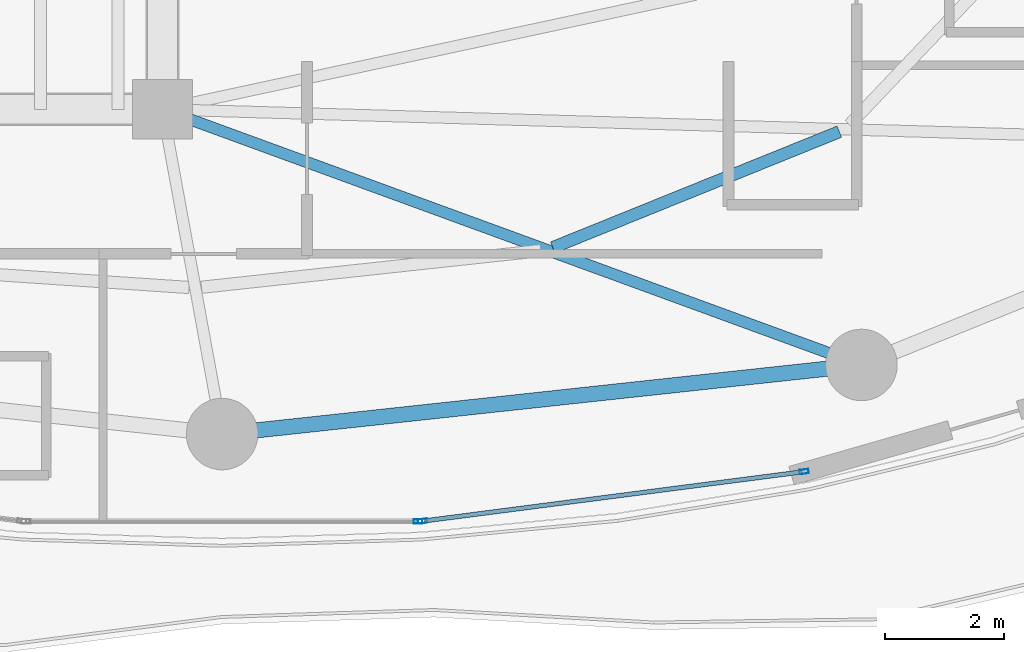
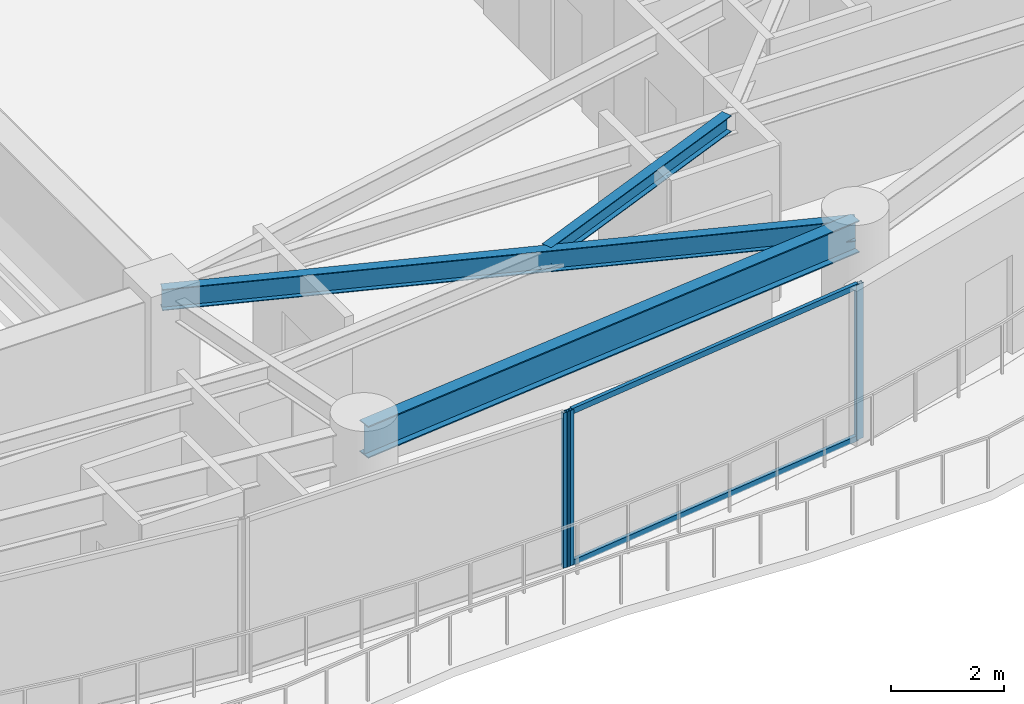
# One storey, part 9 of 28: 5 members, 3 beams, 2 elements without a shape of their own.
"""IFC4 building model written with IfcOpenShell, lengths in metres."""

import ifcopenshell
import ifcopenshell.guid

model = None  # the IFC model being written
_history = None  # IfcOwnerHistory: only IFC2X3 demands one
_inside = {}  # id of a spatial element -> (the spatial element, [elements in it])
_under = {}  # id of a project, library or spatial element -> (it, [spatial elements below it])
_declared = {}  # id of a project -> (the project, [libraries it declares])
_typed = {}  # id of a type object -> (the type object, [elements of that type])
_made_of = {}  # id of a material, layer set ... -> (it, [elements and type objects made of it])


def new_model(schema):
    """Start an empty IFC model of exactly this schema.

    Asked for "IFC4X3", IfcOpenShell would pick the latest addendum, in which some entities
    have other attributes; the version numbers below select the first issue.
    IFC2X3 requires an IfcOwnerHistory on every rooted entity: one is made here for all.
    """
    global model, _history
    if schema == "IFC4X3":
        model = ifcopenshell.file(schema_version=(4, 3, 0, 0))
    else:
        model = ifcopenshell.file(schema=schema)
    _inside.clear()
    _under.clear()
    _declared.clear()
    _typed.clear()
    _made_of.clear()
    _history = None
    if model.schema == "IFC2X3":
        org = make("IfcOrganization", Name="unknown")
        user = make(
            "IfcPersonAndOrganization",
            ThePerson=make("IfcPerson", FamilyName="unknown"),
            TheOrganization=org,
        )
        app = make(
            "IfcApplication",
            ApplicationDeveloper=org,
            Version="unknown",
            ApplicationFullName="unknown",
            ApplicationIdentifier="unknown",
        )
        _history = make(
            "IfcOwnerHistory",
            OwningUser=user,
            OwningApplication=app,
            ChangeAction="ADDED",
            CreationDate=0,
        )
    return model


def make(cls, **values):
    """One entity of the class cls with the attributes given. An attribute that is None is left unset."""
    return model.create_entity(
        cls, **{name: value for name, value in values.items() if value is not None}
    )


def rooted(cls, **values):
    """An entity with a GlobalId (a new one), such as an element, a storey or a relation."""
    return make(cls, GlobalId=ifcopenshell.guid.new(), OwnerHistory=_history, **values)


def si_unit(unit_type, name, prefix=None):
    """IfcSIUnit, for example si_unit("LENGTHUNIT", "METRE", prefix="MILLI")."""
    return make("IfcSIUnit", UnitType=unit_type, Prefix=prefix, Name=name)


def assignment(units):
    """IfcUnitAssignment: the units of a project."""
    return None if units is None else make("IfcUnitAssignment", Units=units)


def point(xyz):
    """IfcCartesianPoint."""
    return None if xyz is None else make("IfcCartesianPoint", Coordinates=xyz)


def direction(xyz):
    """IfcDirection."""
    return None if xyz is None else make("IfcDirection", DirectionRatios=xyz)


def frame(location, z_axis=None, x_axis=None):
    """IfcAxis2Placement3D, a coordinate frame: its origin and axes. An axis left out is left unset."""
    return make(
        "IfcAxis2Placement3D",
        Location=point(location),
        Axis=direction(z_axis),
        RefDirection=direction(x_axis),
    )


def frame_2d(location, x_axis=None):
    """IfcAxis2Placement2D, a coordinate frame in the plane: its origin and x axis."""
    return make(
        "IfcAxis2Placement2D", Location=point(location), RefDirection=direction(x_axis)
    )


def origin():
    """The frame at (0, 0, 0) with its axes left unset."""
    return frame((0.0, 0.0, 0.0))


def origin_2d():
    """The frame at (0, 0) in the plane with its x axis left unset."""
    return frame_2d((0.0, 0.0))


def place(relative_to, where):
    """IfcLocalPlacement: puts the frame where relative to a parent placement (None: the world)."""
    return make(
        "IfcLocalPlacement", PlacementRelTo=relative_to, RelativePlacement=where
    )


def context(
    kind, dimensions, precision=None, world=None, true_north=None, identifier=None
):
    """IfcGeometricRepresentationContext, for example the 3D "Model" context."""
    return make(
        "IfcGeometricRepresentationContext",
        ContextIdentifier=identifier,
        ContextType=kind,
        CoordinateSpaceDimension=dimensions,
        Precision=precision,
        WorldCoordinateSystem=world,
        TrueNorth=true_north,
    )


def subcontext(parent, identifier, kind, view, scale=None):
    """IfcGeometricRepresentationSubContext, for example "Body" below "Model"."""
    return make(
        "IfcGeometricRepresentationSubContext",
        ContextIdentifier=identifier,
        ContextType=kind,
        ParentContext=parent,
        TargetScale=scale,
        TargetView=view,
    )


def project(units=None, contexts=None):
    """IfcProject with its units and contexts."""
    return rooted(
        "IfcProject",
        Name="project",
        RepresentationContexts=contexts,
        UnitsInContext=assignment(units),
    )


def spatial(cls, under=None, at=None, **own):
    """A site, building, storey or space (cls), placed at a placement, below another one or the project."""
    s = rooted(cls, ObjectPlacement=at, **own)
    if under is not None:
        _under.setdefault(under.id(), (under, []))[1].append(s)
    return s


def profile(cls, at=None, kind="AREA", **sizes):
    """A parametric profile (cls). Its sizes go by their IFC names, for example OverallWidth=200.0."""
    return make(cls, ProfileType=kind, Position=at, **sizes)


def hollow_rectangle(**sizes):
    """IfcRectangleHollowProfileDef."""
    return profile("IfcRectangleHollowProfileDef", **sizes)


def i_section(**sizes):
    """IfcIShapeProfileDef."""
    return profile("IfcIShapeProfileDef", **sizes)


def extrude(swept, where, along, depth):
    """IfcExtrudedAreaSolid: the profile swept, set in the frame where, extruded along a direction by depth."""
    return make(
        "IfcExtrudedAreaSolid",
        SweptArea=swept,
        Position=where,
        ExtrudedDirection=direction(along),
        Depth=depth,
    )


def shape(context_of_items, identifier, shape_type, items):
    """IfcShapeRepresentation: the items that make up one representation, for example the "Body"."""
    return make(
        "IfcShapeRepresentation",
        ContextOfItems=context_of_items,
        RepresentationIdentifier=identifier,
        RepresentationType=shape_type,
        Items=items,
    )


def material(Name=None, Category=None):
    """IfcMaterial."""
    return make("IfcMaterial", Name=Name, Category=Category)


def layer(
    of_material, thickness, ventilated=None, Name=None, Category=None, Priority=None
):
    """IfcMaterialLayer: one layer of a wall or slab, of a material (None: an air gap)."""
    return make(
        "IfcMaterialLayer",
        Material=of_material,
        LayerThickness=thickness,
        IsVentilated=ventilated,
        Name=Name,
        Category=Category,
        Priority=Priority,
    )


def layer_set(layers, Name=None):
    """IfcMaterialLayerSet."""
    return make("IfcMaterialLayerSet", MaterialLayers=layers, LayerSetName=Name)


def material_profile(
    of_material, cross_section, Name=None, Category=None, Priority=None
):
    """IfcMaterialProfile: a cross section and its material."""
    return make(
        "IfcMaterialProfile",
        Name=Name,
        Material=of_material,
        Profile=cross_section,
        Priority=Priority,
        Category=Category,
    )


def profile_set(profiles, Name=None, composite=None):
    """IfcMaterialProfileSet."""
    return make(
        "IfcMaterialProfileSet",
        Name=Name,
        MaterialProfiles=profiles,
        CompositeProfile=composite,
    )


def made_of(thing, what):
    """Note that an element or type object is made of a material, layer set ...; save() writes the relation."""
    if what is not None:
        _made_of.setdefault(what.id(), (what, []))[1].append(thing)
    return thing


def type_object(cls, material=None, **own):
    """A type object (cls), such as IfcWallType, which elements share."""
    return made_of(rooted(cls, **own), material)


def element(
    cls,
    number,
    at=None,
    inside=None,
    cuts=None,
    type_object=None,
    material=None,
    context=None,
    identifier="Body",
    shape_type=None,
    held_by="IfcProductDefinitionShape",
    body=None,
    shapes=None,
    **own,
):
    """One element of the class cls, such as IfcWall. Its Tag is "e" and its number.

    at: its placement. inside: the storey or other place that contains it. cuts: it is an
    opening in that element (IfcRelVoidsElement). A single representation is given by context,
    identifier, shape_type and body (its items); several are given by shapes. held_by: the class
    of the entity that holds the representations. save() writes the other relations.
    """
    e = rooted(cls, Tag="e%d" % number, ObjectPlacement=at, **own)
    if body is not None:
        shapes = [shape(context, identifier, shape_type, body)]
    if shapes is not None:
        e.Representation = make(held_by, Representations=shapes)
    if inside is not None:
        _inside.setdefault(inside.id(), (inside, []))[1].append(e)
    if cuts is not None:
        rooted(
            "IfcRelVoidsElement", RelatingBuildingElement=cuts, RelatedOpeningElement=e
        )
    if type_object is not None:
        _typed.setdefault(type_object.id(), (type_object, []))[1].append(e)
    return made_of(e, material)


def aggregate(whole, parts):
    """IfcRelAggregates: a whole, such as a stair, and the parts it consists of."""
    return rooted("IfcRelAggregates", RelatingObject=whole, RelatedObjects=parts)


def save(model, path):
    """Write the relations noted so far, then the file.

    IfcRelAggregates (storeys below a building ...), IfcRelContainedInSpatialStructure (elements
    in a storey), IfcRelDefinesByType, IfcRelAssociatesMaterial and IfcRelDeclares: one each for
    every whole, place, type object, material and project.
    """
    for whole, parts in _under.values():
        aggregate(whole, parts)
    for where, things in _inside.values():
        rooted(
            "IfcRelContainedInSpatialStructure",
            RelatedElements=things,
            RelatingStructure=where,
        )
    for kind, things in _typed.values():
        rooted("IfcRelDefinesByType", RelatedObjects=things, RelatingType=kind)
    for what, things in _made_of.values():
        rooted("IfcRelAssociatesMaterial", RelatedObjects=things, RelatingMaterial=what)
    for by, libraries in _declared.values():
        rooted("IfcRelDeclares", RelatingContext=by, RelatedDefinitions=libraries)
    model.write(path)


model = new_model("IFC4")

# Units and contexts
model_context = context("Model", 3, precision=1e-05, world=origin(), true_north=direction((0.0, 1.0)))
body_context = subcontext(model_context, "Body", "Model", "MODEL_VIEW")
ifc_project = project(units=[si_unit("LENGTHUNIT", "METRE"), si_unit("AREAUNIT", "SQUARE_METRE"), si_unit("VOLUMEUNIT", "CUBIC_METRE"), si_unit("PLANEANGLEUNIT", "RADIAN"), si_unit("MASSUNIT", "GRAM", prefix="KILO")], contexts=[model_context])

# Site, building, storey
site_placement = place(None, origin())
site = spatial("IfcSite", under=ifc_project, at=site_placement, CompositionType="ELEMENT")
building_placement = place(site_placement, origin())
building = spatial("IfcBuilding", under=site, at=building_placement, Name="Kazevale Care Tower and Concert Hall", CompositionType="ELEMENT")
storey_placement = place(building_placement, frame((0.0, 0.0, 120.60009765625)))
storey = spatial("IfcBuildingStorey", under=building, at=storey_placement, Name="L31", CompositionType="ELEMENT", Elevation=120.60009765625)

# Curtain wall, members
ifc_material_1 = material(Name="Aluminium 6063-T6 and Low-E Glass", Category="aluminium")
ifc_layer = layer(ifc_material_1, 0.179931640625)
ifc_layer_set = layer_set([ifc_layer], Name="Aluminium 6063-T6 and Low-E Glass")
curtain_wall_type = type_object("IfcCurtainWallType", Name="Sheltered Concave Balcony Curtain Wall CW-5", PredefinedType="NOTDEFINED", material=ifc_layer_set)
curtain_wall_1_placement = place(storey_placement, origin())
curtain_wall_1 = element("IfcCurtainWall", 1, at=curtain_wall_1_placement, inside=storey, type_object=curtain_wall_type, Name="cw:L31:f05", PredefinedType="NOTDEFINED")
ifc_material_2 = material(Name="Aluminium 6063-T6", Category="aluminium")
ifc_material_profile_1 = material_profile(ifc_material_2, hollow_rectangle(XDim=0.074951171875, YDim=0.14990234375, WallThickness=0.00390625, at=origin_2d()), Name="ALU75x150x4")
ifc_profile_set_1 = profile_set([ifc_material_profile_1], Name="Aluminium 6063-T6")
member_type_1 = type_object("IfcMemberType", Name="CW-5 Mullion ALU75x150x4", PredefinedType="MULLION", material=ifc_profile_set_1)
member_1_placement = place(storey_placement, frame((54.768798828125, 17.520263671875, 0.0), z_axis=(0.0, 0.0, 1.0), x_axis=(0.12868500567, -0.991685519364, 0.0)))
member_1 = element("IfcMember", 2, at=member_1_placement, type_object=member_type_1, Name="CW-5 mullion 1", PredefinedType="MULLION", context=body_context, shape_type="SweptSolid", body=[
    extrude(hollow_rectangle(XDim=0.074951171875, YDim=0.14990234375, WallThickness=0.00390625, at=origin_2d()), origin(), (0.0, 0.0, 1.0), 3.35986328125),
])
member_2_placement = place(storey_placement, frame((48.3623046875, 16.688720703125, 0.0), z_axis=(0.0, 0.0, 1.0), x_axis=(0.12868500567, -0.991685519364, 0.0)))
member_2 = element("IfcMember", 3, at=member_2_placement, type_object=member_type_1, Name="CW-5 mullion 2", PredefinedType="MULLION", context=body_context, shape_type="SweptSolid", body=[
    extrude(hollow_rectangle(XDim=0.074951171875, YDim=0.14990234375, WallThickness=0.00390625, at=origin_2d()), origin(), (0.0, 0.0, 1.0), 3.35986328125),
])

# Curtain wall, member
curtain_wall_2_placement = place(storey_placement, origin())
curtain_wall_2 = element("IfcCurtainWall", 4, at=curtain_wall_2_placement, inside=storey, type_object=curtain_wall_type, Name="cw:L31:f06", PredefinedType="NOTDEFINED")
member_3_placement = place(storey_placement, frame((48.28759765625, 16.68408203125, 0.0), z_axis=(0.0, 0.0, 1.0), x_axis=(0.0, -1.0, 0.0)))
member_3 = element("IfcMember", 5, at=member_3_placement, type_object=member_type_1, Name="CW-5 mullion 1", PredefinedType="MULLION", context=body_context, shape_type="SweptSolid", body=[
    extrude(hollow_rectangle(XDim=0.074951171875, YDim=0.14990234375, WallThickness=0.00390625, at=origin_2d()), origin(), (0.0, 0.0, 1.0), 3.35986328125),
])
aggregate(curtain_wall_2, [member_3])

# Member
ifc_material_profile_2 = material_profile(ifc_material_2, hollow_rectangle(XDim=0.074951171875, YDim=0.1201171875, WallThickness=0.00390625, at=origin_2d()), Name="ALU75x120x4")
ifc_profile_set_2 = profile_set([ifc_material_profile_2], Name="Aluminium 6063-T6")
member_type_2 = type_object("IfcMemberType", Name="CW-5 Transom ALU75x120x4", PredefinedType="USERDEFINED", material=ifc_profile_set_2)
member_4_placement = place(storey_placement, frame((54.731689453125, 17.515380859375, 0.037353515625), z_axis=(-0.991683991743, -0.12869677743, 0.0), x_axis=(0.12869677743, -0.991683991743, 0.0)))
member_4 = element("IfcMember", 6, at=member_4_placement, type_object=member_type_2, Name="CW-5 transom 1.1", ObjectType="TRANSOM", PredefinedType="USERDEFINED", context=body_context, shape_type="SweptSolid", body=[
    extrude(hollow_rectangle(XDim=0.074951171875, YDim=0.1201171875, WallThickness=0.00390625, at=origin_2d()), origin(), (0.0, 0.0, 1.0), 6.385498046875),
])

member_5_placement = place(storey_placement, frame((54.731689453125, 17.515380859375, 3.322509765625), z_axis=(-0.991683991743, -0.12869677743, 0.0), x_axis=(0.12869677743, -0.991683991743, 0.0)))
member_5 = element("IfcMember", 7, at=member_5_placement, type_object=member_type_2, Name="CW-5 transom 1.2", ObjectType="TRANSOM", PredefinedType="USERDEFINED", context=body_context, shape_type="SweptSolid", body=[
    extrude(hollow_rectangle(XDim=0.074951171875, YDim=0.1201171875, WallThickness=0.00390625, at=origin_2d()), origin(), (0.0, 0.0, 1.0), 6.385498046875),
])

aggregate(curtain_wall_1, [member_1, member_2, member_4, member_5])

# Beams
ifc_material_3 = material(Name="Steel ASTM A572 Gr 50", Category="steel")
ifc_material_profile_3 = material_profile(ifc_material_3, i_section(OverallWidth=0.19091796875, OverallDepth=0.4599609375, WebThickness=0.010009765625, FlangeThickness=0.01611328125, at=origin_2d()), Name="W460x82")
ifc_profile_set_3 = profile_set([ifc_material_profile_3], Name="Steel ASTM A572 Gr 50")
beam_type_1 = type_object("IfcBeamType", Name="Radial Floor Beam W460x82", PredefinedType="BEAM", material=ifc_profile_set_3)
beam_1_placement = place(storey_placement, frame((44.0, 23.60009765625, 3.1298828125), z_axis=(0.939159459123, -0.343481455599, 0.0), x_axis=(0.343481455599, 0.939159459123, 0.0)))
element("IfcBeam", 8, at=beam_1_placement, inside=storey, type_object=beam_type_1, Name="beam:L31:rad:14", PredefinedType="BEAM", context=body_context, shape_type="SweptSolid", body=[
    extrude(i_section(OverallWidth=0.19091796875, OverallDepth=0.4599609375, WebThickness=0.010009765625, FlangeThickness=0.01611328125, at=origin_2d()), origin(), (0.0, 0.0, 1.0), 12.489990234375),
])
ifc_material_profile_4 = material_profile(ifc_material_3, i_section(OverallWidth=0.205078125, OverallDepth=0.35400390625, WebThickness=0.009521484375, FlangeThickness=0.016845703125, at=origin_2d()), Name="W360x79")
ifc_profile_set_4 = profile_set([ifc_material_profile_4], Name="Steel ASTM A572 Gr 50")
beam_type_2 = type_object("IfcBeamType", Name="Secondary Floor Joist W360x79", PredefinedType="JOIST", material=ifc_profile_set_4)
beam_2_placement = place(storey_placement, frame((50.549072265625, 21.280029296875, 3.182861328125), z_axis=(0.927064833216, 0.374901046964, 0.0), x_axis=(-0.374901046964, 0.927064833216, 0.0)))
element("IfcBeam", 9, at=beam_2_placement, inside=storey, type_object=beam_type_2, Name="beam:L31:joist:14", PredefinedType="JOIST", context=body_context, shape_type="SweptSolid", body=[
    extrude(i_section(OverallWidth=0.205078125, OverallDepth=0.35400390625, WebThickness=0.009521484375, FlangeThickness=0.016845703125, at=origin_2d()), origin(), (0.0, 0.0, 1.0), 5.188232421875),
])
ifc_material_profile_5 = material_profile(ifc_material_3, i_section(OverallWidth=0.256103515625, OverallDepth=0.693115234375, WebThickness=0.014404296875, FlangeThickness=0.023681640625, at=origin_2d()), Name="W690x170")
ifc_profile_set_5 = profile_set([ifc_material_profile_5], Name="Steel ASTM A572 Gr 50")
beam_type_3 = type_object("IfcBeamType", Name="Waist Ring Beam W690x170", PredefinedType="BEAM", material=ifc_profile_set_5)
beam_3_placement = place(storey_placement, frame((45.0, 18.14990234375, 3.013427734375), z_axis=(0.994205479487, 0.107496346724, 0.0), x_axis=(-0.107496346724, 0.994205479487, 0.0)))
element("IfcBeam", 10, at=beam_3_placement, inside=storey, type_object=beam_type_3, Name="beam:L31:ring:13", PredefinedType="BEAM", context=body_context, shape_type="SweptSolid", body=[
    extrude(i_section(OverallWidth=0.256103515625, OverallDepth=0.693115234375, WebThickness=0.014404296875, FlangeThickness=0.023681640625, at=origin_2d()), origin(), (0.0, 0.0, 1.0), 10.79248046875),
])

save(model, "model.ifc")
